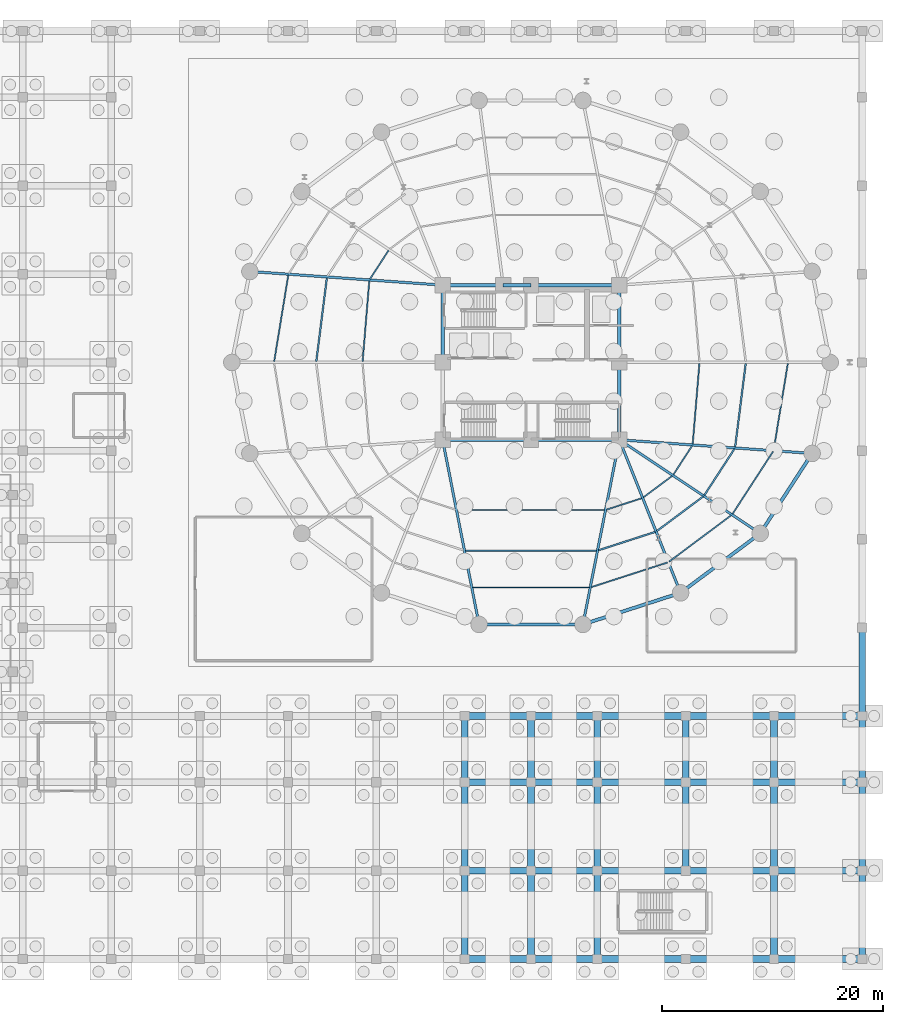
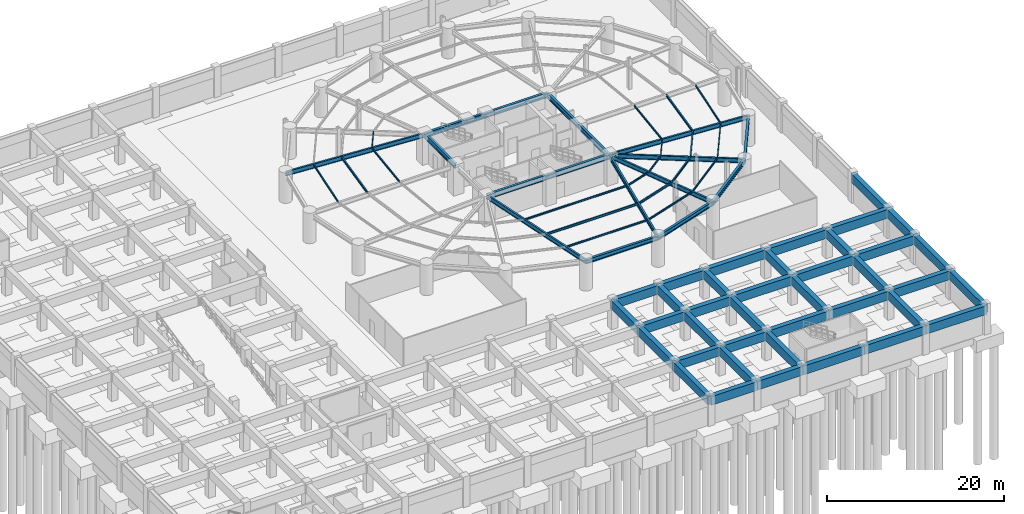
# One storey, part 9 of 23: 75 beams.
"""IFC4 building model written with IfcOpenShell, lengths in metres."""

from ifc_helpers import new_model, si_unit, direction, frame, origin, origin_2d, place, context, subcontext, project, spatial, rectangle, i_section, extrude, material, material_profile, profile_set, type_object, element, save


model = new_model("IFC4")

# Units and contexts
model_context = context("Model", 3, precision=1e-05, world=origin(), true_north=direction((0.0, 1.0)))
body_context = subcontext(model_context, "Body", "Model", "MODEL_VIEW")
ifc_project = project(units=[si_unit("LENGTHUNIT", "METRE"), si_unit("AREAUNIT", "SQUARE_METRE"), si_unit("VOLUMEUNIT", "CUBIC_METRE"), si_unit("PLANEANGLEUNIT", "RADIAN"), si_unit("MASSUNIT", "GRAM", prefix="KILO")], contexts=[model_context])

# Site, building, storey
site_placement = place(None, origin())
site = spatial("IfcSite", under=ifc_project, at=site_placement, CompositionType="ELEMENT")
building_placement = place(site_placement, origin())
building = spatial("IfcBuilding", under=site, at=building_placement, Name="Kelanora Arch Commons", CompositionType="ELEMENT")
storey_placement = place(building_placement, frame((0.0, 0.0, -8.39990234375)))
storey = spatial("IfcBuildingStorey", under=building, at=storey_placement, Name="B02", CompositionType="ELEMENT", Elevation=-8.39990234375)

# Beams
ifc_material_1 = material(Name="Concrete C45/55", Category="concrete")
ifc_material_profile_1 = material_profile(ifc_material_1, rectangle(XDim=0.60009765625, YDim=1.199951171875, at=origin_2d()), Name="RCB600x1200")
ifc_profile_set_1 = profile_set([ifc_material_profile_1], Name="Concrete C45/55")
beam_type_1 = type_object("IfcBeamType", Name="BM-BSMT-RC", PredefinedType="BEAM", material=ifc_profile_set_1)
beam_1_placement = place(storey_placement, frame((68.0, 4.0, 3.2998046875), z_axis=(1.0, 0.0, 0.0), x_axis=(0.0, 1.0, 0.0)))
element("IfcBeam", 1, at=beam_1_placement, inside=storey, type_object=beam_type_1, Name="Market/Basement Frame Beam 126 B02", PredefinedType="BEAM", context=body_context, shape_type="SweptSolid", body=[
    extrude(rectangle(XDim=0.60009765625, YDim=1.199951171875, at=origin_2d()), origin(), (0.0, 0.0, 1.0), 6.0),
])
beam_2_placement = place(storey_placement, frame((68.0, 4.0, 3.2998046875), z_axis=(0.0, 1.0, 0.0), x_axis=(-1.0, 0.0, 0.0)))
element("IfcBeam", 2, at=beam_2_placement, inside=storey, type_object=beam_type_1, Name="Market/Basement Frame Beam 127 B02", PredefinedType="BEAM", context=body_context, shape_type="SweptSolid", body=[
    extrude(rectangle(XDim=0.60009765625, YDim=1.199951171875, at=origin_2d()), origin(), (0.0, 0.0, 1.0), 8.0),
])
beam_3_placement = place(storey_placement, frame((68.0, 12.0, 3.2998046875), z_axis=(1.0, 0.0, 0.0), x_axis=(0.0, 1.0, 0.0)))
element("IfcBeam", 3, at=beam_3_placement, inside=storey, type_object=beam_type_1, Name="Market/Basement Frame Beam 128 B02", PredefinedType="BEAM", context=body_context, shape_type="SweptSolid", body=[
    extrude(rectangle(XDim=0.60009765625, YDim=1.199951171875, at=origin_2d()), origin(), (0.0, 0.0, 1.0), 6.0),
])
beam_4_placement = place(storey_placement, frame((68.0, 12.0, 3.2998046875), z_axis=(0.0, 1.0, 0.0), x_axis=(-1.0, 0.0, 0.0)))
element("IfcBeam", 4, at=beam_4_placement, inside=storey, type_object=beam_type_1, Name="Market/Basement Frame Beam 129 B02", PredefinedType="BEAM", context=body_context, shape_type="SweptSolid", body=[
    extrude(rectangle(XDim=0.60009765625, YDim=1.199951171875, at=origin_2d()), origin(), (0.0, 0.0, 1.0), 8.0),
])
for number, where, z_axis, x_axis, name in (
    (5, (68.0, 20.0, 3.2998046875), (1.0, 0.0, 0.0), (0.0, 1.0, 0.0), "Market/Basement Frame Beam 130 B02"),
    (6, (68.0, 20.0, 3.2998046875), (0.0, 1.0, 0.0), (-1.0, 0.0, 0.0), "Market/Basement Frame Beam 131 B02"),
    (7, (68.0, 26.0, 3.2998046875), (1.0, 0.0, 0.0), (0.0, 1.0, 0.0), "Market/Basement Frame Beam 132 B02"),
    (8, (74.0, 4.0, 3.2998046875), (1.0, 0.0, 0.0), (0.0, 1.0, 0.0), "Market/Basement Frame Beam 134 B02"),
):
    element("IfcBeam", number, at=place(storey_placement, frame(where, z_axis=z_axis, x_axis=x_axis)), inside=storey, type_object=beam_type_1, Name=name, PredefinedType="BEAM", context=body_context, shape_type="SweptSolid", body=[
        extrude(rectangle(XDim=0.60009765625, YDim=1.199951171875, at=origin_2d()), origin(), (0.0, 0.0, 1.0), 6.0),
    ])
beam_5_placement = place(storey_placement, frame((74.0, 4.0, 3.2998046875), z_axis=(0.0, 1.0, 0.0), x_axis=(-1.0, 0.0, 0.0)))
element("IfcBeam", 9, at=beam_5_placement, inside=storey, type_object=beam_type_1, Name="Market/Basement Frame Beam 135 B02", PredefinedType="BEAM", context=body_context, shape_type="SweptSolid", body=[
    extrude(rectangle(XDim=0.60009765625, YDim=1.199951171875, at=origin_2d()), origin(), (0.0, 0.0, 1.0), 8.0),
])
beam_6_placement = place(storey_placement, frame((74.0, 12.0, 3.2998046875), z_axis=(1.0, 0.0, 0.0), x_axis=(0.0, 1.0, 0.0)))
element("IfcBeam", 10, at=beam_6_placement, inside=storey, type_object=beam_type_1, Name="Market/Basement Frame Beam 136 B02", PredefinedType="BEAM", context=body_context, shape_type="SweptSolid", body=[
    extrude(rectangle(XDim=0.60009765625, YDim=1.199951171875, at=origin_2d()), origin(), (0.0, 0.0, 1.0), 6.0),
])
beam_7_placement = place(storey_placement, frame((74.0, 12.0, 3.2998046875), z_axis=(0.0, 1.0, 0.0), x_axis=(-1.0, 0.0, 0.0)))
element("IfcBeam", 11, at=beam_7_placement, inside=storey, type_object=beam_type_1, Name="Market/Basement Frame Beam 137 B02", PredefinedType="BEAM", context=body_context, shape_type="SweptSolid", body=[
    extrude(rectangle(XDim=0.60009765625, YDim=1.199951171875, at=origin_2d()), origin(), (0.0, 0.0, 1.0), 8.0),
])
for number, where, z_axis, x_axis, name in (
    (12, (74.0, 20.0, 3.2998046875), (1.0, 0.0, 0.0), (0.0, 1.0, 0.0), "Market/Basement Frame Beam 138 B02"),
    (13, (74.0, 20.0, 3.2998046875), (0.0, 1.0, 0.0), (-1.0, 0.0, 0.0), "Market/Basement Frame Beam 139 B02"),
    (14, (74.0, 26.0, 3.2998046875), (1.0, 0.0, 0.0), (0.0, 1.0, 0.0), "Market/Basement Frame Beam 140 B02"),
):
    element("IfcBeam", number, at=place(storey_placement, frame(where, z_axis=z_axis, x_axis=x_axis)), inside=storey, type_object=beam_type_1, Name=name, PredefinedType="BEAM", context=body_context, shape_type="SweptSolid", body=[
        extrude(rectangle(XDim=0.60009765625, YDim=1.199951171875, at=origin_2d()), origin(), (0.0, 0.0, 1.0), 6.0),
    ])
for number, where, z_axis, x_axis, name in (
    (15, (80.0, 4.0, 3.2998046875), (1.0, 0.0, 0.0), (0.0, 1.0, 0.0), "Market/Basement Frame Beam 142 B02"),
    (16, (80.0, 4.0, 3.2998046875), (0.0, 1.0, 0.0), (-1.0, 0.0, 0.0), "Market/Basement Frame Beam 143 B02"),
    (17, (80.0, 12.0, 3.2998046875), (1.0, 0.0, 0.0), (0.0, 1.0, 0.0), "Market/Basement Frame Beam 144 B02"),
    (18, (80.0, 12.0, 3.2998046875), (0.0, 1.0, 0.0), (-1.0, 0.0, 0.0), "Market/Basement Frame Beam 145 B02"),
    (19, (80.0, 20.0, 3.2998046875), (1.0, 0.0, 0.0), (0.0, 1.0, 0.0), "Market/Basement Frame Beam 146 B02"),
):
    element("IfcBeam", number, at=place(storey_placement, frame(where, z_axis=z_axis, x_axis=x_axis)), inside=storey, type_object=beam_type_1, Name=name, PredefinedType="BEAM", context=body_context, shape_type="SweptSolid", body=[
        extrude(rectangle(XDim=0.60009765625, YDim=1.199951171875, at=origin_2d()), origin(), (0.0, 0.0, 1.0), 8.0),
    ])
beam_8_placement = place(storey_placement, frame((80.0, 20.0, 3.2998046875), z_axis=(0.0, 1.0, 0.0), x_axis=(-1.0, 0.0, 0.0)))
element("IfcBeam", 20, at=beam_8_placement, inside=storey, type_object=beam_type_1, Name="Market/Basement Frame Beam 147 B02", PredefinedType="BEAM", context=body_context, shape_type="SweptSolid", body=[
    extrude(rectangle(XDim=0.60009765625, YDim=1.199951171875, at=origin_2d()), origin(), (0.0, 0.0, 1.0), 6.0),
])
for number, where, z_axis, x_axis, name in (
    (21, (80.0, 26.0, 3.2998046875), (1.0, 0.0, 0.0), (0.0, 1.0, 0.0), "Market/Basement Frame Beam 148 B02"),
    (22, (88.0, 4.0, 3.2998046875), (1.0, 0.0, 0.0), (0.0, 1.0, 0.0), "Market/Basement Frame Beam 150 B02"),
    (23, (88.0, 12.0, 3.2998046875), (1.0, 0.0, 0.0), (0.0, 1.0, 0.0), "Market/Basement Frame Beam 151 B02"),
    (24, (88.0, 12.0, 3.2998046875), (0.0, 1.0, 0.0), (-1.0, 0.0, 0.0), "Market/Basement Frame Beam 152 B02"),
    (25, (88.0, 20.0, 3.2998046875), (1.0, 0.0, 0.0), (0.0, 1.0, 0.0), "Market/Basement Frame Beam 153 B02"),
):
    element("IfcBeam", number, at=place(storey_placement, frame(where, z_axis=z_axis, x_axis=x_axis)), inside=storey, type_object=beam_type_1, Name=name, PredefinedType="BEAM", context=body_context, shape_type="SweptSolid", body=[
        extrude(rectangle(XDim=0.60009765625, YDim=1.199951171875, at=origin_2d()), origin(), (0.0, 0.0, 1.0), 8.0),
    ])
beam_9_placement = place(storey_placement, frame((88.0, 20.0, 3.2998046875), z_axis=(0.0, 1.0, 0.0), x_axis=(-1.0, 0.0, 0.0)))
element("IfcBeam", 26, at=beam_9_placement, inside=storey, type_object=beam_type_1, Name="Market/Basement Frame Beam 154 B02", PredefinedType="BEAM", context=body_context, shape_type="SweptSolid", body=[
    extrude(rectangle(XDim=0.60009765625, YDim=1.199951171875, at=origin_2d()), origin(), (0.0, 0.0, 1.0), 6.0),
])
for number, where, z_axis, x_axis, name in (
    (27, (88.0, 26.0, 3.2998046875), (1.0, 0.0, 0.0), (0.0, 1.0, 0.0), "Market/Basement Frame Beam 155 B02"),
    (28, (96.0, 4.0, 3.2998046875), (1.0, 0.0, 0.0), (0.0, 1.0, 0.0), "Market/Basement Frame Beam 157 B02"),
    (29, (96.0, 4.0, 3.2998046875), (0.0, 1.0, 0.0), (-1.0, 0.0, 0.0), "Market/Basement Frame Beam 158 B02"),
    (30, (96.0, 12.0, 3.2998046875), (1.0, 0.0, 0.0), (0.0, 1.0, 0.0), "Market/Basement Frame Beam 159 B02"),
    (31, (96.0, 12.0, 3.2998046875), (0.0, 1.0, 0.0), (-1.0, 0.0, 0.0), "Market/Basement Frame Beam 160 B02"),
    (32, (96.0, 20.0, 3.2998046875), (1.0, 0.0, 0.0), (0.0, 1.0, 0.0), "Market/Basement Frame Beam 161 B02"),
):
    element("IfcBeam", number, at=place(storey_placement, frame(where, z_axis=z_axis, x_axis=x_axis)), inside=storey, type_object=beam_type_1, Name=name, PredefinedType="BEAM", context=body_context, shape_type="SweptSolid", body=[
        extrude(rectangle(XDim=0.60009765625, YDim=1.199951171875, at=origin_2d()), origin(), (0.0, 0.0, 1.0), 8.0),
    ])
beam_10_placement = place(storey_placement, frame((96.0, 20.0, 3.2998046875), z_axis=(0.0, 1.0, 0.0), x_axis=(-1.0, 0.0, 0.0)))
element("IfcBeam", 33, at=beam_10_placement, inside=storey, type_object=beam_type_1, Name="Market/Basement Frame Beam 162 B02", PredefinedType="BEAM", context=body_context, shape_type="SweptSolid", body=[
    extrude(rectangle(XDim=0.60009765625, YDim=1.199951171875, at=origin_2d()), origin(), (0.0, 0.0, 1.0), 6.0),
])
for number, where, z_axis, x_axis, name in (
    (34, (96.0, 26.0, 3.2998046875), (1.0, 0.0, 0.0), (0.0, 1.0, 0.0), "Market/Basement Frame Beam 163 B02"),
    (35, (104.0, 4.0, 3.2998046875), (0.0, 1.0, 0.0), (-1.0, 0.0, 0.0), "Market/Basement Frame Beam 165 B02"),
    (36, (104.0, 12.0, 3.2998046875), (0.0, 1.0, 0.0), (-1.0, 0.0, 0.0), "Market/Basement Frame Beam 166 B02"),
):
    element("IfcBeam", number, at=place(storey_placement, frame(where, z_axis=z_axis, x_axis=x_axis)), inside=storey, type_object=beam_type_1, Name=name, PredefinedType="BEAM", context=body_context, shape_type="SweptSolid", body=[
        extrude(rectangle(XDim=0.60009765625, YDim=1.199951171875, at=origin_2d()), origin(), (0.0, 0.0, 1.0), 8.0),
    ])
beam_11_placement = place(storey_placement, frame((104.0, 20.0, 3.2998046875), z_axis=(0.0, 1.0, 0.0), x_axis=(-1.0, 0.0, 0.0)))
element("IfcBeam", 37, at=beam_11_placement, inside=storey, type_object=beam_type_1, Name="Market/Basement Frame Beam 167 B02", PredefinedType="BEAM", context=body_context, shape_type="SweptSolid", body=[
    extrude(rectangle(XDim=0.60009765625, YDim=1.199951171875, at=origin_2d()), origin(), (0.0, 0.0, 1.0), 6.0),
])
beam_12_placement = place(storey_placement, frame((104.0, 26.0, 3.2998046875), z_axis=(0.0, 1.0, 0.0), x_axis=(-1.0, 0.0, 0.0)))
element("IfcBeam", 38, at=beam_12_placement, inside=storey, type_object=beam_type_1, Name="Market/Basement Frame Beam 168 B02", PredefinedType="BEAM", context=body_context, shape_type="SweptSolid", body=[
    extrude(rectangle(XDim=0.60009765625, YDim=1.199951171875, at=origin_2d()), origin(), (0.0, 0.0, 1.0), 8.0),
])
ifc_material_2 = material(Name="Steel S355", Category="steel")
ifc_material_profile_2 = material_profile(ifc_material_2, i_section(OverallWidth=0.300048828125, OverallDepth=0.699951171875, WebThickness=0.01708984375, FlangeThickness=0.031982421875, FilletRadius=0.027099609375, at=origin_2d()), Name="HEB700")
ifc_profile_set_2 = profile_set([ifc_material_profile_2], Name="Steel S355")
beam_type_2 = type_object("IfcBeamType", Name="BM-CORE-HDR", PredefinedType="BEAM", material=ifc_profile_set_2)
for number, where, z_axis, x_axis, name in (
    (39, (66.0, 51.0, 3.5498046875), (1.0, 0.0, 0.0), (0.0, 1.0, 0.0), "Core Header Beam 01 B02"),
    (40, (74.0, 51.0, 3.5498046875), (1.0, 0.0, 0.0), (0.0, 1.0, 0.0), "Core Header Beam 02 B02"),
):
    element("IfcBeam", number, at=place(storey_placement, frame(where, z_axis=z_axis, x_axis=x_axis)), inside=storey, type_object=beam_type_2, Name=name, PredefinedType="BEAM", context=body_context, shape_type="SweptSolid", body=[
        extrude(i_section(OverallWidth=0.300048828125, OverallDepth=0.699951171875, WebThickness=0.01708984375, FlangeThickness=0.031982421875, FilletRadius=0.027099609375, at=origin_2d()), origin(), (0.0, 0.0, 1.0), 8.0),
    ])
for number, where, z_axis, x_axis, name in (
    (41, (82.0, 51.0, 3.5498046875), (0.0, 1.0, 0.0), (-1.0, 0.0, 0.0), "Core Header Beam 03 B02"),
    (42, (82.0, 58.0, 3.5498046875), (0.0, 1.0, 0.0), (-1.0, 0.0, 0.0), "Core Header Beam 04 B02"),
):
    element("IfcBeam", number, at=place(storey_placement, frame(where, z_axis=z_axis, x_axis=x_axis)), inside=storey, type_object=beam_type_2, Name=name, PredefinedType="BEAM", context=body_context, shape_type="SweptSolid", body=[
        extrude(i_section(OverallWidth=0.300048828125, OverallDepth=0.699951171875, WebThickness=0.01708984375, FlangeThickness=0.031982421875, FilletRadius=0.027099609375, at=origin_2d()), origin(), (0.0, 0.0, 1.0), 7.0),
    ])
beam_13_placement = place(storey_placement, frame((82.0, 65.0, 3.5498046875), z_axis=(-1.0, 0.0, 0.0), x_axis=(0.0, -1.0, 0.0)))
element("IfcBeam", 43, at=beam_13_placement, inside=storey, type_object=beam_type_2, Name="Core Header Beam 05 B02", PredefinedType="BEAM", context=body_context, shape_type="SweptSolid", body=[
    extrude(i_section(OverallWidth=0.300048828125, OverallDepth=0.699951171875, WebThickness=0.01708984375, FlangeThickness=0.031982421875, FilletRadius=0.027099609375, at=origin_2d()), origin(), (0.0, 0.0, 1.0), 8.0),
])
beam_14_placement = place(storey_placement, frame((74.0, 65.0, 3.5498046875), z_axis=(-1.0, 0.0, 0.0), x_axis=(0.0, -1.0, 0.0)))
element("IfcBeam", 44, at=beam_14_placement, inside=storey, type_object=beam_type_2, Name="Core Header Beam 06 B02", PredefinedType="BEAM", context=body_context, shape_type="SweptSolid", body=[
    extrude(i_section(OverallWidth=0.300048828125, OverallDepth=0.699951171875, WebThickness=0.01708984375, FlangeThickness=0.031982421875, FilletRadius=0.027099609375, at=origin_2d()), origin(), (0.0, 0.0, 1.0), 2.52001953125),
])
beam_15_placement = place(storey_placement, frame((71.47998046875, 65.0, 3.5498046875), z_axis=(-1.0, 0.0, 0.0), x_axis=(0.0, -1.0, 0.0)))
element("IfcBeam", 45, at=beam_15_placement, inside=storey, type_object=beam_type_2, Name="Core Header Beam 07 B02", PredefinedType="BEAM", context=body_context, shape_type="SweptSolid", body=[
    extrude(i_section(OverallWidth=0.300048828125, OverallDepth=0.699951171875, WebThickness=0.01708984375, FlangeThickness=0.031982421875, FilletRadius=0.027099609375, at=origin_2d()), origin(), (0.0, 0.0, 1.0), 5.47998046875),
])
beam_16_placement = place(storey_placement, frame((66.0, 65.0, 3.5498046875), z_axis=(0.0, -1.0, 0.0), x_axis=(1.0, 0.0, 0.0)))
element("IfcBeam", 46, at=beam_16_placement, inside=storey, type_object=beam_type_2, Name="Core Header Beam 08 B02", PredefinedType="BEAM", context=body_context, shape_type="SweptSolid", body=[
    extrude(i_section(OverallWidth=0.300048828125, OverallDepth=0.699951171875, WebThickness=0.01708984375, FlangeThickness=0.031982421875, FilletRadius=0.027099609375, at=origin_2d()), origin(), (0.0, 0.0, 1.0), 7.0),
])
ifc_material_profile_3 = material_profile(ifc_material_2, i_section(OverallWidth=0.14990234375, OverallDepth=0.300048828125, WebThickness=0.007080078125, FlangeThickness=0.0107421875, FilletRadius=0.014892578125, at=origin_2d()), Name="IPE300")
ifc_profile_set_3 = profile_set([ifc_material_profile_3], Name="Steel S355")
beam_type_3 = type_object("IfcBeamType", Name="BM-JST-01", PredefinedType="JOIST", material=ifc_profile_set_3)
beam_17_placement = place(storey_placement, frame((55.521240234375, 65.6572265625, 3.75), z_axis=(-0.125565841651, -0.992085288375, 0.0), x_axis=(0.992085288375, -0.125565841651, 0.0)))
element("IfcBeam", 47, at=beam_17_placement, inside=storey, type_object=beam_type_3, Name="Secondary Chord Joist BJB-16 B02", PredefinedType="JOIST", context=body_context, shape_type="SweptSolid", body=[
    extrude(i_section(OverallWidth=0.14990234375, OverallDepth=0.300048828125, WebThickness=0.007080078125, FlangeThickness=0.0107421875, FilletRadius=0.014892578125, at=origin_2d()), origin(), (0.0, 0.0, 1.0), 7.63330078125),
])
beam_18_placement = place(storey_placement, frame((68.063720703125, 40.971435546875, 3.75), z_axis=(1.0, 0.0, 0.0), x_axis=(0.0, 1.0, 0.0)))
element("IfcBeam", 48, at=beam_18_placement, inside=storey, type_object=beam_type_3, Name="Secondary Chord Joist BJB-26 B02", PredefinedType="JOIST", context=body_context, shape_type="SweptSolid", body=[
    extrude(i_section(OverallWidth=0.14990234375, OverallDepth=0.300048828125, WebThickness=0.007080078125, FlangeThickness=0.0107421875, FilletRadius=0.014892578125, at=origin_2d()), origin(), (0.0, 0.0, 1.0), 11.87255859375),
])
beam_19_placement = place(storey_placement, frame((80.102294921875, 40.997802734375, 3.75), z_axis=(0.951412209627, 0.307920131482, 0.0), x_axis=(-0.307920131482, 0.951412209627, 0.0)))
element("IfcBeam", 49, at=beam_19_placement, inside=storey, type_object=beam_type_3, Name="Secondary Chord Joist BJB-28 B02", PredefinedType="JOIST", context=body_context, shape_type="SweptSolid", body=[
    extrude(i_section(OverallWidth=0.14990234375, OverallDepth=0.300048828125, WebThickness=0.007080078125, FlangeThickness=0.0107421875, FilletRadius=0.014892578125, at=origin_2d()), origin(), (0.0, 0.0, 1.0), 5.4033203125),
])
beam_20_placement = place(storey_placement, frame((85.39208984375, 42.738525390625, 3.75), z_axis=(0.801478251559, 0.598023922831, 0.0), x_axis=(-0.598023922831, 0.801478251559, 0.0)))
element("IfcBeam", 50, at=beam_20_placement, inside=storey, type_object=beam_type_3, Name="Secondary Chord Joist BJB-30 B02", PredefinedType="JOIST", context=body_context, shape_type="SweptSolid", body=[
    extrude(i_section(OverallWidth=0.14990234375, OverallDepth=0.300048828125, WebThickness=0.007080078125, FlangeThickness=0.0107421875, FilletRadius=0.014892578125, at=origin_2d()), origin(), (0.0, 0.0, 1.0), 5.223388671875),
])
beam_21_placement = place(storey_placement, frame((89.693115234375, 45.984375, 3.75), z_axis=(0.544551588245, 0.838727350061, 0.0), x_axis=(-0.838727350061, 0.544551588245, 0.0)))
element("IfcBeam", 51, at=beam_21_placement, inside=storey, type_object=beam_type_3, Name="Secondary Chord Joist BJB-32 B02", PredefinedType="JOIST", context=body_context, shape_type="SweptSolid", body=[
    extrude(i_section(OverallWidth=0.14990234375, OverallDepth=0.300048828125, WebThickness=0.007080078125, FlangeThickness=0.0107421875, FilletRadius=0.014892578125, at=origin_2d()), origin(), (0.0, 0.0, 1.0), 5.010986328125),
])
beam_22_placement = place(storey_placement, frame((92.478759765625, 50.3427734375, 3.75), z_axis=(0.125565841651, 0.992085288375, 0.0), x_axis=(-0.992085288375, 0.125565841651, 0.0)))
element("IfcBeam", 52, at=beam_22_placement, inside=storey, type_object=beam_type_3, Name="Secondary Chord Joist BJB-34 B02", PredefinedType="JOIST", context=body_context, shape_type="SweptSolid", body=[
    extrude(i_section(OverallWidth=0.14990234375, OverallDepth=0.300048828125, WebThickness=0.007080078125, FlangeThickness=0.0107421875, FilletRadius=0.014892578125, at=origin_2d()), origin(), (0.0, 0.0, 1.0), 7.63330078125),
])
ifc_material_profile_4 = material_profile(ifc_material_2, i_section(OverallWidth=0.1201171875, OverallDepth=0.239990234375, WebThickness=0.006103515625, FlangeThickness=0.009765625, FilletRadius=0.014892578125, at=origin_2d()), Name="IPE240")
ifc_profile_set_4 = profile_set([ifc_material_profile_4], Name="Steel S355")
beam_type_4 = type_object("IfcBeamType", Name="BM-JST-02", PredefinedType="JOIST", material=ifc_profile_set_4)
beam_23_placement = place(storey_placement, frame((61.11083984375, 68.150390625, 3.77978515625), z_axis=(-0.544591105858, -0.838701691557, 0.0), x_axis=(0.838701691557, -0.544591105858, 0.0)))
element("IfcBeam", 53, at=beam_23_placement, inside=storey, type_object=beam_type_4, Name="Secondary Chord Joist BJA-14 B02", PredefinedType="JOIST", context=body_context, shape_type="SweptSolid", body=[
    extrude(i_section(OverallWidth=0.1201171875, OverallDepth=0.239990234375, WebThickness=0.006103515625, FlangeThickness=0.009765625, FilletRadius=0.014892578125, at=origin_2d()), origin(), (0.0, 0.0, 1.0), 3.111328125),
])
beam_24_placement = place(storey_placement, frame((59.363037109375, 65.385009765625, 3.77978515625), z_axis=(-0.082786209886, -0.996567330115, 0.0), x_axis=(0.996567330115, -0.082786209886, 0.0)))
element("IfcBeam", 54, at=beam_24_placement, inside=storey, type_object=beam_type_4, Name="Secondary Chord Joist BJA-16 B02", PredefinedType="JOIST", context=body_context, shape_type="SweptSolid", body=[
    extrude(i_section(OverallWidth=0.1201171875, OverallDepth=0.239990234375, WebThickness=0.006103515625, FlangeThickness=0.009765625, FilletRadius=0.014892578125, at=origin_2d()), origin(), (0.0, 0.0, 1.0), 7.325439453125),
])
beam_25_placement = place(storey_placement, frame((52.02880859375, 65.90478515625, 3.77978515625), z_axis=(-0.161400737199, -0.986888951216, 0.0), x_axis=(0.986888951216, -0.161400737199, 0.0)))
element("IfcBeam", 55, at=beam_25_placement, inside=storey, type_object=beam_type_4, Name="Secondary Chord Joist BJC-16 B02", PredefinedType="JOIST", context=body_context, shape_type="SweptSolid", body=[
    extrude(i_section(OverallWidth=0.1201171875, OverallDepth=0.239990234375, WebThickness=0.006103515625, FlangeThickness=0.009765625, FilletRadius=0.014892578125, at=origin_2d()), origin(), (0.0, 0.0, 1.0), 7.9248046875),
])
beam_26_placement = place(storey_placement, frame((67.338134765625, 44.648681640625, 3.77978515625), z_axis=(1.0, 0.0, 0.0), x_axis=(0.0, 1.0, 0.0)))
element("IfcBeam", 56, at=beam_26_placement, inside=storey, type_object=beam_type_4, Name="Secondary Chord Joist BJA-26 B02", PredefinedType="JOIST", context=body_context, shape_type="SweptSolid", body=[
    extrude(i_section(OverallWidth=0.1201171875, OverallDepth=0.239990234375, WebThickness=0.006103515625, FlangeThickness=0.009765625, FilletRadius=0.014892578125, at=origin_2d()), origin(), (0.0, 0.0, 1.0), 13.32373046875),
])
beam_27_placement = place(storey_placement, frame((68.72314453125, 37.628662109375, 3.77978515625), z_axis=(1.0, 0.0, 0.0), x_axis=(0.0, 1.0, 0.0)))
element("IfcBeam", 57, at=beam_27_placement, inside=storey, type_object=beam_type_4, Name="Secondary Chord Joist BJC-26 B02", PredefinedType="JOIST", context=body_context, shape_type="SweptSolid", body=[
    extrude(i_section(OverallWidth=0.1201171875, OverallDepth=0.239990234375, WebThickness=0.006103515625, FlangeThickness=0.009765625, FilletRadius=0.014892578125, at=origin_2d()), origin(), (0.0, 0.0, 1.0), 10.5537109375),
])
beam_28_placement = place(storey_placement, frame((80.827880859375, 44.6748046875, 3.77978515625), z_axis=(0.951422608074, 0.30788800049, 0.0), x_axis=(-0.30788800049, 0.951422608074, 0.0)))
element("IfcBeam", 58, at=beam_28_placement, inside=storey, type_object=beam_type_4, Name="Secondary Chord Joist BJA-28 B02", PredefinedType="JOIST", context=body_context, shape_type="SweptSolid", body=[
    extrude(i_section(OverallWidth=0.1201171875, OverallDepth=0.239990234375, WebThickness=0.006103515625, FlangeThickness=0.009765625, FilletRadius=0.014892578125, at=origin_2d()), origin(), (0.0, 0.0, 1.0), 3.359619140625),
])
beam_29_placement = place(storey_placement, frame((79.44287109375, 37.65478515625, 3.77978515625), z_axis=(0.951410915705, 0.307924129418, 0.0), x_axis=(-0.307924129418, 0.951410915705, 0.0)))
element("IfcBeam", 59, at=beam_29_placement, inside=storey, type_object=beam_type_4, Name="Secondary Chord Joist BJC-28 B02", PredefinedType="JOIST", context=body_context, shape_type="SweptSolid", body=[
    extrude(i_section(OverallWidth=0.1201171875, OverallDepth=0.239990234375, WebThickness=0.006103515625, FlangeThickness=0.009765625, FilletRadius=0.014892578125, at=origin_2d()), origin(), (0.0, 0.0, 1.0), 7.260986328125),
])
beam_30_placement = place(storey_placement, frame((84.17333984375, 45.786376953125, 3.77978515625), z_axis=(0.801513822608, 0.59797624716, 0.0), x_axis=(-0.59797624716, 0.801513822608, 0.0)))
element("IfcBeam", 60, at=beam_30_placement, inside=storey, type_object=beam_type_4, Name="Secondary Chord Joist BJA-30 B02", PredefinedType="JOIST", context=body_context, shape_type="SweptSolid", body=[
    extrude(i_section(OverallWidth=0.1201171875, OverallDepth=0.239990234375, WebThickness=0.006103515625, FlangeThickness=0.009765625, FilletRadius=0.014892578125, at=origin_2d()), origin(), (0.0, 0.0, 1.0), 3.245849609375),
])
beam_31_placement = place(storey_placement, frame((86.5, 39.9677734375, 3.77978515625), z_axis=(0.80149131963, 0.598006408459, 0.0), x_axis=(-0.598006408459, 0.80149131963, 0.0)))
element("IfcBeam", 61, at=beam_31_placement, inside=storey, type_object=beam_type_4, Name="Secondary Chord Joist BJC-30 B02", PredefinedType="JOIST", context=body_context, shape_type="SweptSolid", body=[
    extrude(i_section(OverallWidth=0.1201171875, OverallDepth=0.239990234375, WebThickness=0.006103515625, FlangeThickness=0.009765625, FilletRadius=0.014892578125, at=origin_2d()), origin(), (0.0, 0.0, 1.0), 7.021240234375),
])
beam_32_placement = place(storey_placement, frame((86.88916015625, 47.849609375, 3.77978515625), z_axis=(0.544591105858, 0.838701691557, 0.0), x_axis=(-0.838701691557, 0.544591105858, 0.0)))
element("IfcBeam", 62, at=beam_32_placement, inside=storey, type_object=beam_type_4, Name="Secondary Chord Joist BJA-32 B02", PredefinedType="JOIST", context=body_context, shape_type="SweptSolid", body=[
    extrude(i_section(OverallWidth=0.1201171875, OverallDepth=0.239990234375, WebThickness=0.006103515625, FlangeThickness=0.009765625, FilletRadius=0.014892578125, at=origin_2d()), origin(), (0.0, 0.0, 1.0), 3.111328125),
])
beam_33_placement = place(storey_placement, frame((92.241943359375, 44.288818359375, 3.77978515625), z_axis=(0.544550165372, 0.838728273873, 0.0), x_axis=(-0.838728273873, 0.544550165372, 0.0)))
element("IfcBeam", 63, at=beam_33_placement, inside=storey, type_object=beam_type_4, Name="Secondary Chord Joist BJC-32 B02", PredefinedType="JOIST", context=body_context, shape_type="SweptSolid", body=[
    extrude(i_section(OverallWidth=0.1201171875, OverallDepth=0.239990234375, WebThickness=0.006103515625, FlangeThickness=0.009765625, FilletRadius=0.014892578125, at=origin_2d()), origin(), (0.0, 0.0, 1.0), 6.738037109375),
])
beam_34_placement = place(storey_placement, frame((88.636962890625, 50.614990234375, 3.77978515625), z_axis=(0.082786209886, 0.996567330115, 0.0), x_axis=(-0.996567330115, 0.082786209886, 0.0)))
element("IfcBeam", 64, at=beam_34_placement, inside=storey, type_object=beam_type_4, Name="Secondary Chord Joist BJA-34 B02", PredefinedType="JOIST", context=body_context, shape_type="SweptSolid", body=[
    extrude(i_section(OverallWidth=0.1201171875, OverallDepth=0.239990234375, WebThickness=0.006103515625, FlangeThickness=0.009765625, FilletRadius=0.014892578125, at=origin_2d()), origin(), (0.0, 0.0, 1.0), 7.325439453125),
])
beam_35_placement = place(storey_placement, frame((95.97119140625, 50.09521484375, 3.77978515625), z_axis=(0.161400737199, 0.986888951216, 0.0), x_axis=(-0.986888951216, 0.161400737199, 0.0)))
element("IfcBeam", 65, at=beam_35_placement, inside=storey, type_object=beam_type_4, Name="Secondary Chord Joist BJC-34 B02", PredefinedType="JOIST", context=body_context, shape_type="SweptSolid", body=[
    extrude(i_section(OverallWidth=0.1201171875, OverallDepth=0.239990234375, WebThickness=0.006103515625, FlangeThickness=0.009765625, FilletRadius=0.014892578125, at=origin_2d()), origin(), (0.0, 0.0, 1.0), 7.9248046875),
])
ifc_material_profile_5 = material_profile(ifc_material_2, i_section(OverallWidth=0.219970703125, OverallDepth=0.60009765625, WebThickness=0.011962890625, FlangeThickness=0.01904296875, FilletRadius=0.02392578125, at=origin_2d()), Name="IPE600")
ifc_profile_set_5 = profile_set([ifc_material_profile_5], Name="Steel S355")
beam_type_5 = type_object("IfcBeamType", Name="BM-RAD-Z1", PredefinedType="BEAM", material=ifc_profile_set_5)
beam_36_placement = place(storey_placement, frame((66.0, 65.0, 3.599853515625), z_axis=(-0.997500683472, 0.070656821848, 0.0), x_axis=(-0.070656821848, -0.997500683472, 0.0)))
element("IfcBeam", 66, at=beam_36_placement, inside=storey, type_object=beam_type_5, Name="Radial Floor Girder BR-16 B02", PredefinedType="BEAM", context=body_context, shape_type="SweptSolid", body=[
    extrude(i_section(OverallWidth=0.219970703125, OverallDepth=0.60009765625, WebThickness=0.011962890625, FlangeThickness=0.01904296875, FilletRadius=0.02392578125, at=origin_2d()), origin(), (0.0, 0.0, 1.0), 17.49072265625),
])
for number, where, z_axis, x_axis, name in (
    (67, (66.0, 51.0, 3.599853515625), (0.19356352044, -0.981087745084, 0.0), (0.981087745084, 0.19356352044, 0.0), "Radial Floor Girder BR-26 B02"),
    (68, (82.0, 51.0, 3.599853515625), (-0.19356352044, -0.981087745084, 0.0), (0.981087745084, -0.19356352044, 0.0), "Radial Floor Girder BR-28 B02"),
):
    element("IfcBeam", number, at=place(storey_placement, frame(where, z_axis=z_axis, x_axis=x_axis)), inside=storey, type_object=beam_type_5, Name=name, PredefinedType="BEAM", context=body_context, shape_type="SweptSolid", body=[
        extrude(i_section(OverallWidth=0.219970703125, OverallDepth=0.60009765625, WebThickness=0.011962890625, FlangeThickness=0.01904296875, FilletRadius=0.02392578125, at=origin_2d()), origin(), (0.0, 0.0, 1.0), 17.036376953125),
    ])
beam_37_placement = place(storey_placement, frame((82.0, 51.0, 3.599853515625), z_axis=(0.371300398117, -0.928512797089, 0.0), x_axis=(0.928512797089, 0.371300398117, 0.0)))
element("IfcBeam", 69, at=beam_37_placement, inside=storey, type_object=beam_type_5, Name="Radial Floor Girder BR-30 B02", PredefinedType="BEAM", context=body_context, shape_type="SweptSolid", body=[
    extrude(i_section(OverallWidth=0.219970703125, OverallDepth=0.60009765625, WebThickness=0.011962890625, FlangeThickness=0.01904296875, FilletRadius=0.02392578125, at=origin_2d()), origin(), (0.0, 0.0, 1.0), 14.920654296875),
])
beam_38_placement = place(storey_placement, frame((82.0, 51.0, 3.599853515625), z_axis=(0.832592187754, -0.553886494591, 0.0), x_axis=(0.553886494591, 0.832592187754, 0.0)))
element("IfcBeam", 70, at=beam_38_placement, inside=storey, type_object=beam_type_5, Name="Radial Floor Girder BR-32 B02", PredefinedType="BEAM", context=body_context, shape_type="SweptSolid", body=[
    extrude(i_section(OverallWidth=0.219970703125, OverallDepth=0.60009765625, WebThickness=0.011962890625, FlangeThickness=0.01904296875, FilletRadius=0.02392578125, at=origin_2d()), origin(), (0.0, 0.0, 1.0), 15.306884765625),
])
beam_39_placement = place(storey_placement, frame((82.0, 51.0, 3.599853515625), z_axis=(0.997500683472, -0.070656821848, 0.0), x_axis=(0.070656821848, 0.997500683472, 0.0)))
element("IfcBeam", 71, at=beam_39_placement, inside=storey, type_object=beam_type_5, Name="Radial Floor Girder BR-34 B02", PredefinedType="BEAM", context=body_context, shape_type="SweptSolid", body=[
    extrude(i_section(OverallWidth=0.219970703125, OverallDepth=0.60009765625, WebThickness=0.011962890625, FlangeThickness=0.01904296875, FilletRadius=0.02392578125, at=origin_2d()), origin(), (0.0, 0.0, 1.0), 17.49072265625),
])
ifc_material_profile_6 = material_profile(ifc_material_2, i_section(OverallWidth=0.300048828125, OverallDepth=0.60009765625, WebThickness=0.015380859375, FlangeThickness=0.030029296875, FilletRadius=0.027099609375, at=origin_2d()), Name="HEB600")
ifc_profile_set_6 = profile_set([ifc_material_profile_6], Name="Steel S355")
beam_type_6 = type_object("IfcBeamType", Name="BM-SPN-Z1", PredefinedType="SPANDREL", material=ifc_profile_set_6)
beam_40_placement = place(storey_placement, frame((69.297607421875, 34.285888671875, 3.599853515625), z_axis=(1.0, 0.0, 0.0), x_axis=(0.0, 1.0, 0.0)))
element("IfcBeam", 72, at=beam_40_placement, inside=storey, type_object=beam_type_6, Name="Perimeter Spandrel Beam BS-26 B02", PredefinedType="SPANDREL", context=body_context, shape_type="SweptSolid", body=[
    extrude(i_section(OverallWidth=0.300048828125, OverallDepth=0.60009765625, WebThickness=0.015380859375, FlangeThickness=0.030029296875, FilletRadius=0.027099609375, at=origin_2d()), origin(), (0.0, 0.0, 1.0), 9.40478515625),
])
beam_41_placement = place(storey_placement, frame((78.702392578125, 34.285888671875, 3.599853515625), z_axis=(0.951417120402, 0.307904957748, 0.0), x_axis=(-0.307904957748, 0.951417120402, 0.0)))
element("IfcBeam", 73, at=beam_41_placement, inside=storey, type_object=beam_type_6, Name="Perimeter Spandrel Beam BS-28 B02", PredefinedType="SPANDREL", context=body_context, shape_type="SweptSolid", body=[
    extrude(i_section(OverallWidth=0.300048828125, OverallDepth=0.60009765625, WebThickness=0.015380859375, FlangeThickness=0.030029296875, FilletRadius=0.027099609375, at=origin_2d()), origin(), (0.0, 0.0, 1.0), 9.288818359375),
])
beam_42_placement = place(storey_placement, frame((87.5400390625, 37.14599609375, 3.599853515625), z_axis=(0.801467504127, 0.598038326388, 0.0), x_axis=(-0.598038326388, 0.801467504127, 0.0)))
element("IfcBeam", 74, at=beam_42_placement, inside=storey, type_object=beam_type_6, Name="Perimeter Spandrel Beam BS-30 B02", PredefinedType="SPANDREL", context=body_context, shape_type="SweptSolid", body=[
    extrude(i_section(OverallWidth=0.300048828125, OverallDepth=0.60009765625, WebThickness=0.015380859375, FlangeThickness=0.030029296875, FilletRadius=0.027099609375, at=origin_2d()), origin(), (0.0, 0.0, 1.0), 8.989013671875),
])
beam_43_placement = place(storey_placement, frame((94.744384765625, 42.521728515625, 3.599853515625), z_axis=(0.544585813928, 0.838705127722, 0.0), x_axis=(-0.838705127722, 0.544585813928, 0.0)))
element("IfcBeam", 75, at=beam_43_placement, inside=storey, type_object=beam_type_6, Name="Perimeter Spandrel Beam BS-32 B02", PredefinedType="SPANDREL", context=body_context, shape_type="SweptSolid", body=[
    extrude(i_section(OverallWidth=0.300048828125, OverallDepth=0.60009765625, WebThickness=0.015380859375, FlangeThickness=0.030029296875, FilletRadius=0.027099609375, at=origin_2d()), origin(), (0.0, 0.0, 1.0), 8.63525390625),
])

save(model, "model.ifc")
